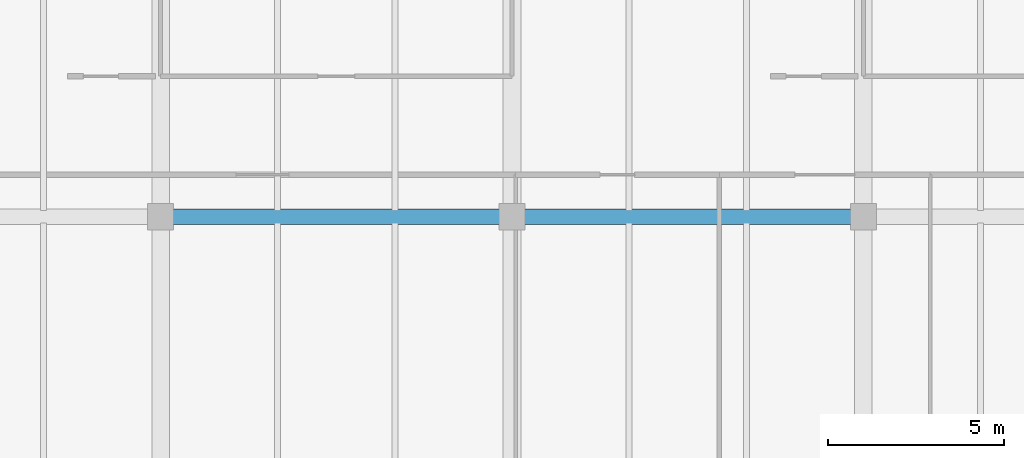
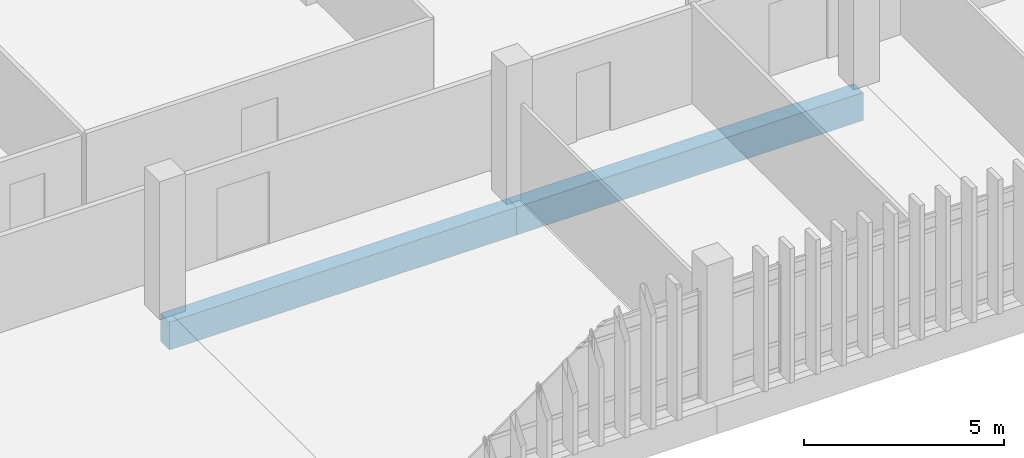
# One storey, part 86 of 161: 2 beams.
"""IFC4 building model written with IfcOpenShell, lengths in metres."""

from ifc_helpers import new_model, si_unit, direction, frame, origin, origin_2d, place, context, subcontext, project, spatial, rectangle, extrude, material, material_profile, profile_set, type_object, element, save


model = new_model("IFC4")

# Units and contexts
model_context = context("Model", 3, precision=1e-05, world=origin(), true_north=direction((0.0, 1.0)))
body_context = subcontext(model_context, "Body", "Model", "MODEL_VIEW")
ifc_project = project(units=[si_unit("LENGTHUNIT", "METRE"), si_unit("AREAUNIT", "SQUARE_METRE"), si_unit("VOLUMEUNIT", "CUBIC_METRE"), si_unit("PLANEANGLEUNIT", "RADIAN"), si_unit("MASSUNIT", "GRAM", prefix="KILO")], contexts=[model_context])

# Site, building, storey
site_placement = place(None, origin())
site = spatial("IfcSite", under=ifc_project, at=site_placement, CompositionType="ELEMENT")
building_placement = place(site_placement, origin())
building = spatial("IfcBuilding", under=site, at=building_placement, Name="Mersad Railyard Sports Hall", CompositionType="ELEMENT")
storey_placement = place(building_placement, frame((0.0, 0.0, 4.800048828125)))
storey = spatial("IfcBuildingStorey", under=building, at=storey_placement, Name="L01", CompositionType="ELEMENT", Elevation=4.800048828125)

# Beams
ifc_material = material(Name="Concrete C40/50", Category="concrete")
ifc_material_profile = material_profile(ifc_material, rectangle(XDim=0.449951171875, YDim=0.85009765625, at=origin_2d()), Name="RC 450x850")
ifc_profile_set = profile_set([ifc_material_profile], Name="Concrete C40/50")
beam_type = type_object("IfcBeamType", Name="STR-BM-B02", PredefinedType="BEAM", material=ifc_profile_set)
for number, where, z_axis, x_axis, name in (
    (1, (101.0, 95.0, -0.72509765625), (1.0, 0.0, 0.0), (0.0, 1.0, 0.0), "Beam B02-0937"),
    (2, (111.0, 95.0, -0.72509765625), (1.0, 0.0, 0.0), (0.0, 1.0, 0.0), "Beam B02-0938"),
):
    element("IfcBeam", number, at=place(storey_placement, frame(where, z_axis=z_axis, x_axis=x_axis)), inside=storey, type_object=beam_type, Name=name, PredefinedType="BEAM", context=body_context, shape_type="SweptSolid", body=[
        extrude(rectangle(XDim=0.449951171875, YDim=0.85009765625, at=origin_2d()), origin(), (0.0, 0.0, 1.0), 10.0),
    ])

save(model, "model.ifc")
